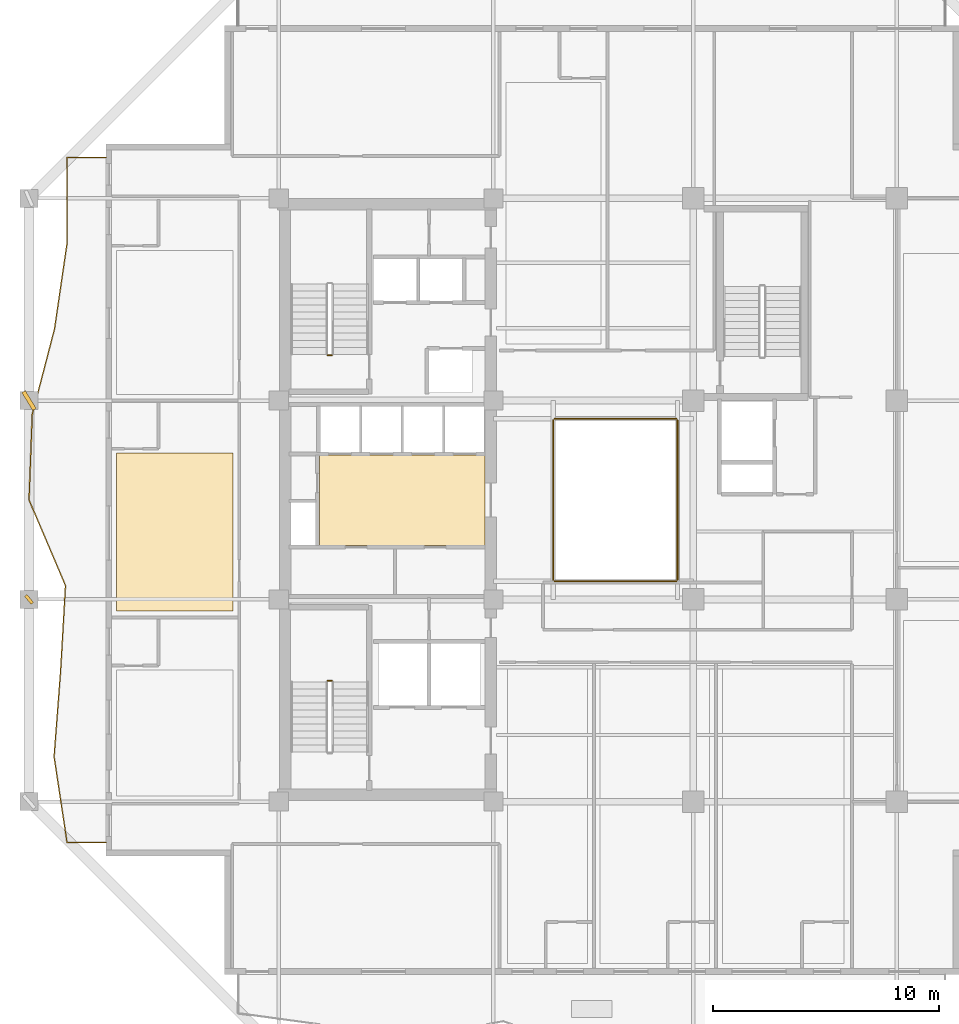
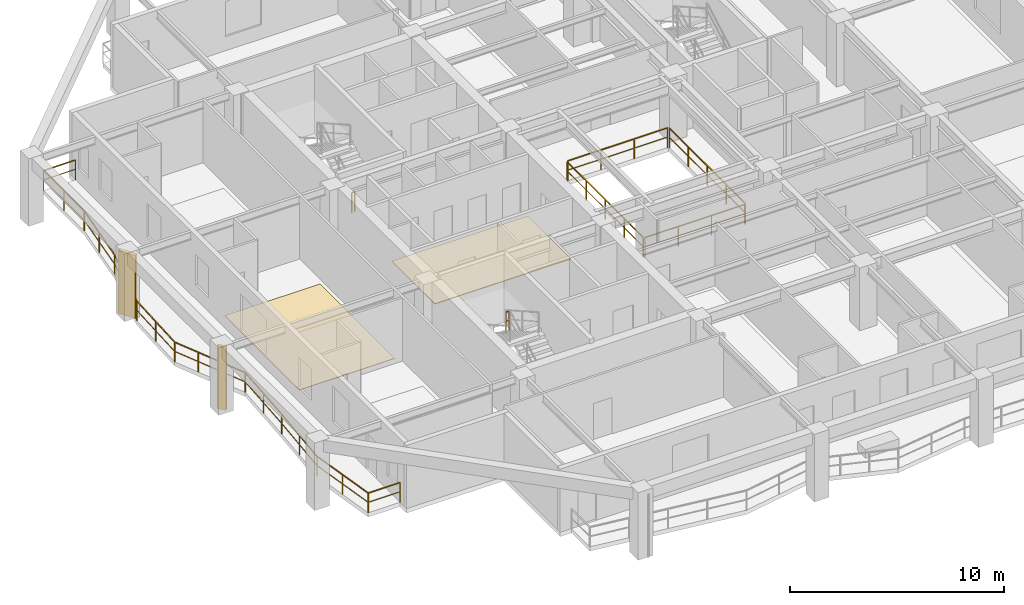
# One storey, part 9 of 13: 7 railings, 2 coverings, 2 shading devices.
"""IFC4 building model written with IfcOpenShell, lengths in metres."""

from ifc_helpers import new_model, si_unit, direction, frame, origin, origin_2d, place, context, subcontext, project, spatial, polyline, rectangle, outline, extrude, material, layer, layer_set, type_object, element, save


model = new_model("IFC4")

# Units and contexts
model_context = context("Model", 3, precision=1e-05, world=origin(), true_north=direction((0.0, 1.0)))
body_context = subcontext(model_context, "Body", "Model", "MODEL_VIEW")
ifc_project = project(units=[si_unit("LENGTHUNIT", "METRE"), si_unit("AREAUNIT", "SQUARE_METRE"), si_unit("VOLUMEUNIT", "CUBIC_METRE"), si_unit("PLANEANGLEUNIT", "RADIAN"), si_unit("MASSUNIT", "GRAM", prefix="KILO")], contexts=[model_context])

# Site, building, storey
site_placement = place(None, origin())
site = spatial("IfcSite", under=ifc_project, at=site_placement, CompositionType="ELEMENT")
building_placement = place(site_placement, origin())
building = spatial("IfcBuilding", under=site, at=building_placement, Name="Kundavana Baori Tower", CompositionType="ELEMENT")
storey_placement = place(building_placement, frame((0.0, 0.0, 177.14990234375)))
storey = spatial("IfcBuildingStorey", under=building, at=storey_placement, Name="L43", CompositionType="ELEMENT", Elevation=177.14990234375)

# Coverings
ifc_material_1 = material(Name="Honed Kota Stone and Terrazzo Flooring", Category="masonry")
ifc_layer_1 = layer(ifc_material_1, 0.0400390625, Name="COV-FLR-TERR-40")
ifc_layer_set_1 = layer_set([ifc_layer_1], Name="Honed Kota Stone and Terrazzo Flooring")
covering_type_1 = type_object("IfcCoveringType", Name="COV-FLR-TERR-40", PredefinedType="FLOORING", material=ifc_layer_set_1)
covering_1_placement = place(storey_placement, origin())
element("IfcCovering", 1, at=covering_1_placement, inside=storey, type_object=covering_type_1, Name="L43 Core Lift Lobby Kota Stone Flooring", PredefinedType="FLOORING", context=body_context, shape_type="SweptSolid", body=[
    extrude(outline(polyline([(17.25, 26.580078125), (24.580078125, 26.580078125), (24.580078125, 30.60009765625), (17.25, 30.60009765625), (17.25, 26.580078125)])), origin(), (0.0, 0.0, 1.0), 0.0400390625),
])
ifc_material_2 = material(Name="Honed Kota Stone and Terrazzo Flooring", Category="masonry")
ifc_layer_2 = layer(ifc_material_2, 0.030029296875, Name="COV-INT-FLR")
ifc_layer_set_2 = layer_set([ifc_layer_2], Name="Honed Kota Stone and Terrazzo Flooring")
covering_type_2 = type_object("IfcCoveringType", Name="COV-INT-FLR", PredefinedType="FLOORING", material=ifc_layer_set_2)
covering_2_placement = place(storey_placement, origin())
element("IfcCovering", 2, at=covering_2_placement, inside=storey, type_object=covering_type_2, Name="L43 Room Finished Stone Flooring 2", PredefinedType="FLOORING", context=body_context, shape_type="SweptSolid", body=[
    extrude(outline(polyline([(8.280029296875, 23.679931640625), (13.419921875, 23.679931640625), (13.419921875, 30.669921875), (8.280029296875, 30.669921875), (8.280029296875, 23.679931640625)])), origin(), (0.0, 0.0, 1.0), 0.030029296875),
])

# Railings
ifc_material_3 = material(Name="Architectural Patinated Bronze Metalwork")
railing_type_1 = type_object("IfcRailingType", Name="RL-BAL-1150", PredefinedType="BALUSTRADE", material=ifc_material_3)
railing_1_placement = place(storey_placement, frame((7.800048828125, 13.449951171875, 0.0)))
element("IfcRailing", 3, at=railing_1_placement, inside=storey, type_object=railing_type_1, Name="L43 Loggia Balcony Balustrade W", PredefinedType="BALUSTRADE", context=body_context, shape_type="SweptSolid", body=[
    extrude(rectangle(XDim=0.048095703125, YDim=0.048095703125, at=origin_2d()), frame((0.0, 0.0, 1.1259765625), z_axis=(-1.0, 0.0, 0.0), x_axis=(0.0, -1.0, 0.0)), (0.0, 0.0, 1.0), 1.719970703125),
    extrude(rectangle(XDim=0.03125, YDim=0.03125, at=origin_2d()), frame((0.0, 0.0, 0.597900390625), z_axis=(-1.0, 0.0, 0.0), x_axis=(0.0, -1.0, 0.0)), (0.0, 0.0, 1.0), 1.719970703125),
    extrude(rectangle(XDim=0.048095703125, YDim=0.048095703125, at=origin_2d()), frame((-1.719970703125, 0.0, 1.1259765625), z_axis=(-0.149811042356, 0.988714646189, 0.0), x_axis=(-0.988714646189, -0.149811042356, 0.0)), (0.0, 0.0, 1.0), 3.831298828125),
    extrude(rectangle(XDim=0.03125, YDim=0.03125, at=origin_2d()), frame((-1.719970703125, 0.0, 0.597900390625), z_axis=(-0.149811042356, 0.988714646189, 0.0), x_axis=(-0.988714646189, -0.149811042356, 0.0)), (0.0, 0.0, 1.0), 3.831298828125),
    extrude(rectangle(XDim=0.048095703125, YDim=0.048095703125, at=origin_2d()), frame((-2.2939453125, 3.7880859375, 1.1259765625), z_axis=(0.075791940449, 0.997123654199, 0.0), x_axis=(-0.997123654199, 0.075791940449, 0.0)), (0.0, 0.0, 1.0), 3.7978515625),
    extrude(rectangle(XDim=0.03125, YDim=0.03125, at=origin_2d()), frame((-2.2939453125, 3.7880859375, 0.597900390625), z_axis=(0.075791940449, 0.997123654199, 0.0), x_axis=(-0.997123654199, 0.075791940449, 0.0)), (0.0, 0.0, 1.0), 3.7978515625),
    extrude(rectangle(XDim=0.048095703125, YDim=0.048095703125, at=origin_2d()), frame((-2.006103515625, 7.574951171875, 1.1259765625), z_axis=(0.057216582699, 0.998361789465, 0.0), x_axis=(-0.998361789465, 0.057216582699, 0.0)), (0.0, 0.0, 1.0), 3.793212890625),
    extrude(rectangle(XDim=0.03125, YDim=0.03125, at=origin_2d()), frame((-2.006103515625, 7.574951171875, 0.597900390625), z_axis=(0.057216582699, 0.998361789465, 0.0), x_axis=(-0.998361789465, 0.057216582699, 0.0)), (0.0, 0.0, 1.0), 3.793212890625),
    extrude(rectangle(XDim=0.048095703125, YDim=0.048095703125, at=origin_2d()), frame((-1.7890625, 11.362060546875, 1.1259765625), z_axis=(-0.391376731153, 0.920230544109, 0.0), x_axis=(-0.920230544109, -0.391376731153, 0.0)), (0.0, 0.0, 1.0), 4.116455078125),
    extrude(rectangle(XDim=0.03125, YDim=0.03125, at=origin_2d()), frame((-1.7890625, 11.362060546875, 0.597900390625), z_axis=(-0.391376731153, 0.920230544109, 0.0), x_axis=(-0.920230544109, -0.391376731153, 0.0)), (0.0, 0.0, 1.0), 4.116455078125),
    extrude(rectangle(XDim=0.048095703125, YDim=0.048095703125, at=origin_2d()), frame((-3.400146484375, 15.150146484375, 1.1259765625), z_axis=(0.0372284447, 0.999306781176, 0.0), x_axis=(-0.999306781176, 0.0372284447, 0.0)), (0.0, 0.0, 1.0), 3.79052734375),
    extrude(rectangle(XDim=0.03125, YDim=0.03125, at=origin_2d()), frame((-3.400146484375, 15.150146484375, 0.597900390625), z_axis=(0.0372284447, 0.999306781176, 0.0), x_axis=(-0.999306781176, 0.0372284447, 0.0)), (0.0, 0.0, 1.0), 3.79052734375),
    extrude(rectangle(XDim=0.048095703125, YDim=0.048095703125, at=origin_2d()), frame((-3.259033203125, 18.93798828125, 1.1259765625), z_axis=(0.251685278982, 0.967809134253, 0.0), x_axis=(-0.967809134253, 0.251685278982, 0.0)), (0.0, 0.0, 1.0), 3.9130859375),
    extrude(rectangle(XDim=0.03125, YDim=0.03125, at=origin_2d()), frame((-3.259033203125, 18.93798828125, 0.597900390625), z_axis=(0.251685278982, 0.967809134253, 0.0), x_axis=(-0.967809134253, 0.251685278982, 0.0)), (0.0, 0.0, 1.0), 3.9130859375),
    extrude(rectangle(XDim=0.048095703125, YDim=0.048095703125, at=origin_2d()), frame((-2.274169921875, 22.72509765625, 1.1259765625), z_axis=(0.144805273127, 0.989460172455, 0.0), x_axis=(-0.989460172455, 0.144805273127, 0.0)), (0.0, 0.0, 1.0), 3.8271484375),
    extrude(rectangle(XDim=0.03125, YDim=0.03125, at=origin_2d()), frame((-2.274169921875, 22.72509765625, 0.597900390625), z_axis=(0.144805273127, 0.989460172455, 0.0), x_axis=(-0.989460172455, 0.144805273127, 0.0)), (0.0, 0.0, 1.0), 3.8271484375),
    extrude(rectangle(XDim=0.048095703125, YDim=0.048095703125, at=origin_2d()), frame((-1.719970703125, 26.511962890625, 1.1259765625), z_axis=(0.0, 1.0, 0.0), x_axis=(-1.0, 0.0, 0.0)), (0.0, 0.0, 1.0), 3.7880859375),
    extrude(rectangle(XDim=0.03125, YDim=0.03125, at=origin_2d()), frame((-1.719970703125, 26.511962890625, 0.597900390625), z_axis=(0.0, 1.0, 0.0), x_axis=(-1.0, 0.0, 0.0)), (0.0, 0.0, 1.0), 3.7880859375),
    extrude(rectangle(XDim=0.048095703125, YDim=0.048095703125, at=origin_2d()), frame((-1.719970703125, 30.300048828125, 1.1259765625), z_axis=(1.0, 0.0, 0.0), x_axis=(0.0, 1.0, 0.0)), (0.0, 0.0, 1.0), 1.719970703125),
    extrude(rectangle(XDim=0.03125, YDim=0.03125, at=origin_2d()), frame((-1.719970703125, 30.300048828125, 0.597900390625), z_axis=(1.0, 0.0, 0.0), x_axis=(0.0, 1.0, 0.0)), (0.0, 0.0, 1.0), 1.719970703125),
    extrude(rectangle(XDim=0.0419921875, YDim=0.0419921875, at=origin_2d()), origin(), (0.0, 0.0, 1.0), 1.101806640625),
    extrude(rectangle(XDim=0.0419921875, YDim=0.0419921875, at=origin_2d()), frame((-1.719970703125, 0.0, 0.0)), (0.0, 0.0, 1.0), 1.101806640625),
    extrude(rectangle(XDim=0.0419921875, YDim=0.0419921875, at=origin_2d()), frame((-2.0068359375, 1.89404296875, 0.0)), (0.0, 0.0, 1.0), 1.101806640625),
    extrude(rectangle(XDim=0.0419921875, YDim=0.0419921875, at=origin_2d()), frame((-2.2939453125, 3.7880859375, 0.0)), (0.0, 0.0, 1.0), 1.101806640625),
    extrude(rectangle(XDim=0.0419921875, YDim=0.0419921875, at=origin_2d()), frame((-2.14990234375, 5.681640625, 0.0)), (0.0, 0.0, 1.0), 1.101806640625),
    extrude(rectangle(XDim=0.0419921875, YDim=0.0419921875, at=origin_2d()), frame((-2.006103515625, 7.574951171875, 0.0)), (0.0, 0.0, 1.0), 1.101806640625),
    extrude(rectangle(XDim=0.0419921875, YDim=0.0419921875, at=origin_2d()), frame((-1.8974609375, 9.468505859375, 0.0)), (0.0, 0.0, 1.0), 1.101806640625),
    extrude(rectangle(XDim=0.0419921875, YDim=0.0419921875, at=origin_2d()), frame((-1.7890625, 11.362060546875, 0.0)), (0.0, 0.0, 1.0), 1.101806640625),
    extrude(rectangle(XDim=0.0419921875, YDim=0.0419921875, at=origin_2d()), frame((-2.326171875, 12.624755859375, 0.0)), (0.0, 0.0, 1.0), 1.101806640625),
    extrude(rectangle(XDim=0.0419921875, YDim=0.0419921875, at=origin_2d()), frame((-2.863037109375, 13.887451171875, 0.0)), (0.0, 0.0, 1.0), 1.101806640625),
    extrude(rectangle(XDim=0.0419921875, YDim=0.0419921875, at=origin_2d()), frame((-3.400146484375, 15.150146484375, 0.0)), (0.0, 0.0, 1.0), 1.101806640625),
    extrude(rectangle(XDim=0.0419921875, YDim=0.0419921875, at=origin_2d()), frame((-3.32958984375, 17.0439453125, 0.0)), (0.0, 0.0, 1.0), 1.101806640625),
    extrude(rectangle(XDim=0.0419921875, YDim=0.0419921875, at=origin_2d()), frame((-3.259033203125, 18.93798828125, 0.0)), (0.0, 0.0, 1.0), 1.101806640625),
    extrude(rectangle(XDim=0.0419921875, YDim=0.0419921875, at=origin_2d()), frame((-2.7666015625, 20.83154296875, 0.0)), (0.0, 0.0, 1.0), 1.101806640625),
    extrude(rectangle(XDim=0.0419921875, YDim=0.0419921875, at=origin_2d()), frame((-2.274169921875, 22.72509765625, 0.0)), (0.0, 0.0, 1.0), 1.101806640625),
    extrude(rectangle(XDim=0.0419921875, YDim=0.0419921875, at=origin_2d()), frame((-1.9970703125, 24.61865234375, 0.0)), (0.0, 0.0, 1.0), 1.101806640625),
    extrude(rectangle(XDim=0.0419921875, YDim=0.0419921875, at=origin_2d()), frame((-1.719970703125, 26.511962890625, 0.0)), (0.0, 0.0, 1.0), 1.101806640625),
    extrude(rectangle(XDim=0.0419921875, YDim=0.0419921875, at=origin_2d()), frame((-1.719970703125, 28.406005859375, 0.0)), (0.0, 0.0, 1.0), 1.101806640625),
    extrude(rectangle(XDim=0.0419921875, YDim=0.0419921875, at=origin_2d()), frame((-1.719970703125, 30.300048828125, 0.0)), (0.0, 0.0, 1.0), 1.101806640625),
    extrude(rectangle(XDim=0.0419921875, YDim=0.0419921875, at=origin_2d()), frame((0.0, 30.300048828125, 0.0)), (0.0, 0.0, 1.0), 1.101806640625),
])
ifc_material_4 = material(Name="Architectural Patinated Bronze Metalwork")
railing_type_2 = type_object("IfcRailingType", Name="RL-GRD-1150", PredefinedType="GUARDRAIL", material=ifc_material_4)
for number, where, name in (
    (4, (17.7900390625, 20.60009765625, 1.925048828125), "L43 ST1 stair guard 2"),
    (5, (17.7900390625, 35.0, 0.0), "L43 ST2 stair guard 4"),
):
    element("IfcRailing", number, at=place(storey_placement, frame(where)), inside=storey, type_object=railing_type_2, Name=name, PredefinedType="GUARDRAIL", context=body_context, shape_type="SweptSolid", body=[
        extrude(rectangle(XDim=0.048095703125, YDim=0.048095703125, at=origin_2d()), frame((0.0, 0.0, 1.1259765625), z_axis=(-1.0, 0.0, 0.0), x_axis=(0.0, -1.0, 0.0)), (0.0, 0.0, 1.0), 0.16015625),
        extrude(rectangle(XDim=0.03125, YDim=0.03125, at=origin_2d()), frame((0.0, 0.0, 0.597900390625), z_axis=(-1.0, 0.0, 0.0), x_axis=(0.0, -1.0, 0.0)), (0.0, 0.0, 1.0), 0.16015625),
        extrude(rectangle(XDim=0.0419921875, YDim=0.0419921875, at=origin_2d()), origin(), (0.0, 0.0, 1.0), 1.101806640625),
        extrude(rectangle(XDim=0.0419921875, YDim=0.0419921875, at=origin_2d()), frame((-0.16015625, 0.0, 0.0)), (0.0, 0.0, 1.0), 1.101806640625),
    ])
railing_2_placement = place(storey_placement, frame((27.659912109375, 25.0, 0.0)))
element("IfcRailing", 6, at=railing_2_placement, inside=storey, type_object=railing_type_2, Name="L43 Atrium Void Perimeter Guardrail S", PredefinedType="GUARDRAIL", context=body_context, shape_type="SweptSolid", body=[
    extrude(rectangle(XDim=0.048095703125, YDim=0.048095703125, at=origin_2d()), frame((0.0, 0.0, 1.1259765625), z_axis=(1.0, 0.0, 0.0), x_axis=(0.0, 1.0, 0.0)), (0.0, 0.0, 1.0), 5.380126953125),
    extrude(rectangle(XDim=0.03125, YDim=0.03125, at=origin_2d()), frame((0.0, 0.0, 0.597900390625), z_axis=(1.0, 0.0, 0.0), x_axis=(0.0, 1.0, 0.0)), (0.0, 0.0, 1.0), 5.380126953125),
    extrude(rectangle(XDim=0.0419921875, YDim=0.0419921875, at=origin_2d()), origin(), (0.0, 0.0, 1.0), 1.101806640625),
    extrude(rectangle(XDim=0.0419921875, YDim=0.0419921875, at=origin_2d()), frame((1.79345703125, 0.0, 0.0)), (0.0, 0.0, 1.0), 1.101806640625),
    extrude(rectangle(XDim=0.0419921875, YDim=0.0419921875, at=origin_2d()), frame((3.586669921875, 0.0, 0.0)), (0.0, 0.0, 1.0), 1.101806640625),
    extrude(rectangle(XDim=0.0419921875, YDim=0.0419921875, at=origin_2d()), frame((5.380126953125, 0.0, 0.0)), (0.0, 0.0, 1.0), 1.101806640625),
])
railing_3_placement = place(storey_placement, frame((33.10009765625, 25.06005859375, 0.0)))
element("IfcRailing", 7, at=railing_3_placement, inside=storey, type_object=railing_type_2, Name="L43 Atrium Void Perimeter Guardrail E", PredefinedType="GUARDRAIL", context=body_context, shape_type="SweptSolid", body=[
    extrude(rectangle(XDim=0.048095703125, YDim=0.048095703125, at=origin_2d()), frame((0.0, 0.0, 1.1259765625), z_axis=(0.0, 1.0, 0.0), x_axis=(-1.0, 0.0, 0.0)), (0.0, 0.0, 1.0), 7.079833984375),
    extrude(rectangle(XDim=0.03125, YDim=0.03125, at=origin_2d()), frame((0.0, 0.0, 0.597900390625), z_axis=(0.0, 1.0, 0.0), x_axis=(-1.0, 0.0, 0.0)), (0.0, 0.0, 1.0), 7.079833984375),
    extrude(rectangle(XDim=0.0419921875, YDim=0.0419921875, at=origin_2d()), origin(), (0.0, 0.0, 1.0), 1.101806640625),
    extrude(rectangle(XDim=0.0419921875, YDim=0.0419921875, at=origin_2d()), frame((0.0, 1.77001953125, 0.0)), (0.0, 0.0, 1.0), 1.101806640625),
    extrude(rectangle(XDim=0.0419921875, YDim=0.0419921875, at=origin_2d()), frame((0.0, 3.5400390625, 0.0)), (0.0, 0.0, 1.0), 1.101806640625),
    extrude(rectangle(XDim=0.0419921875, YDim=0.0419921875, at=origin_2d()), frame((0.0, 5.309814453125, 0.0)), (0.0, 0.0, 1.0), 1.101806640625),
    extrude(rectangle(XDim=0.0419921875, YDim=0.0419921875, at=origin_2d()), frame((0.0, 7.079833984375, 0.0)), (0.0, 0.0, 1.0), 1.101806640625),
])
railing_4_placement = place(storey_placement, frame((33.0400390625, 32.199951171875, 0.0)))
element("IfcRailing", 8, at=railing_4_placement, inside=storey, type_object=railing_type_2, Name="L43 Atrium Void Perimeter Guardrail N", PredefinedType="GUARDRAIL", context=body_context, shape_type="SweptSolid", body=[
    extrude(rectangle(XDim=0.048095703125, YDim=0.048095703125, at=origin_2d()), frame((0.0, 0.0, 1.1259765625), z_axis=(-1.0, 0.0, 0.0), x_axis=(0.0, -1.0, 0.0)), (0.0, 0.0, 1.0), 5.380126953125),
    extrude(rectangle(XDim=0.03125, YDim=0.03125, at=origin_2d()), frame((0.0, 0.0, 0.597900390625), z_axis=(-1.0, 0.0, 0.0), x_axis=(0.0, -1.0, 0.0)), (0.0, 0.0, 1.0), 5.380126953125),
    extrude(rectangle(XDim=0.0419921875, YDim=0.0419921875, at=origin_2d()), origin(), (0.0, 0.0, 1.0), 1.101806640625),
    extrude(rectangle(XDim=0.0419921875, YDim=0.0419921875, at=origin_2d()), frame((-1.79345703125, 0.0, 0.0)), (0.0, 0.0, 1.0), 1.101806640625),
    extrude(rectangle(XDim=0.0419921875, YDim=0.0419921875, at=origin_2d()), frame((-3.586669921875, 0.0, 0.0)), (0.0, 0.0, 1.0), 1.101806640625),
    extrude(rectangle(XDim=0.0419921875, YDim=0.0419921875, at=origin_2d()), frame((-5.380126953125, 0.0, 0.0)), (0.0, 0.0, 1.0), 1.101806640625),
])
railing_5_placement = place(storey_placement, frame((27.60009765625, 32.139892578125, 0.0)))
element("IfcRailing", 9, at=railing_5_placement, inside=storey, type_object=railing_type_2, Name="L43 Atrium Void Perimeter Guardrail W", PredefinedType="GUARDRAIL", context=body_context, shape_type="SweptSolid", body=[
    extrude(rectangle(XDim=0.048095703125, YDim=0.048095703125, at=origin_2d()), frame((0.0, 0.0, 1.1259765625), z_axis=(0.0, -1.0, 0.0), x_axis=(1.0, 0.0, 0.0)), (0.0, 0.0, 1.0), 7.079833984375),
    extrude(rectangle(XDim=0.03125, YDim=0.03125, at=origin_2d()), frame((0.0, 0.0, 0.597900390625), z_axis=(0.0, -1.0, 0.0), x_axis=(1.0, 0.0, 0.0)), (0.0, 0.0, 1.0), 7.079833984375),
    extrude(rectangle(XDim=0.0419921875, YDim=0.0419921875, at=origin_2d()), origin(), (0.0, 0.0, 1.0), 1.101806640625),
    extrude(rectangle(XDim=0.0419921875, YDim=0.0419921875, at=origin_2d()), frame((0.0, -1.77001953125, 0.0)), (0.0, 0.0, 1.0), 1.101806640625),
    extrude(rectangle(XDim=0.0419921875, YDim=0.0419921875, at=origin_2d()), frame((0.0, -3.5400390625, 0.0)), (0.0, 0.0, 1.0), 1.101806640625),
    extrude(rectangle(XDim=0.0419921875, YDim=0.0419921875, at=origin_2d()), frame((0.0, -5.309814453125, 0.0)), (0.0, 0.0, 1.0), 1.101806640625),
    extrude(rectangle(XDim=0.0419921875, YDim=0.0419921875, at=origin_2d()), frame((0.0, -7.079833984375, 0.0)), (0.0, 0.0, 1.0), 1.101806640625),
])

# Shading devices
ifc_material_5 = material(Name="Red-Buff Dholpur Sandstone Cladding on Concrete C40/50", Category="masonry")
shading_device_type_1 = type_object("IfcShadingDeviceType", Name="SHD-FIN-920", PredefinedType="JALOUSIE", material=ifc_material_5)
shading_device_1_placement = place(storey_placement, frame((4.39990234375, 33.0, 0.0), z_axis=(0.0, 0.0, 1.0), x_axis=(0.85345985094, 0.521158596622, 0.0)))
element("IfcShadingDevice", 10, at=shading_device_1_placement, inside=storey, type_object=shading_device_type_1, Name="L43 Sweeping Dholpur Sandstone Facade Fin 7", PredefinedType="JALOUSIE", context=body_context, shape_type="SweptSolid", body=[
    extrude(rectangle(XDim=0.179931640625, YDim=0.919921875, at=origin_2d()), origin(), (0.0, 0.0, 1.0), 3.60009765625),
])
ifc_material_6 = material(Name="Architectural Patinated Bronze Metalwork")
shading_device_type_2 = type_object("IfcShadingDeviceType", Name="SHD-LOUV-450", PredefinedType="SHUTTER", material=ifc_material_6)
shading_device_2_placement = place(storey_placement, frame((4.39990234375, 24.199951171875, 0.0), z_axis=(0.0, 0.0, 1.0), x_axis=(0.765146195875, 0.643856582585, 0.0)))
element("IfcShadingDevice", 11, at=shading_device_2_placement, inside=storey, type_object=shading_device_type_2, Name="L43 Sweeping Dholpur Sandstone Facade Fin 6", PredefinedType="SHUTTER", context=body_context, shape_type="SweptSolid", body=[
    extrude(rectangle(XDim=0.139892578125, YDim=0.449951171875, at=origin_2d()), origin(), (0.0, 0.0, 1.0), 3.60009765625),
])

save(model, "model.ifc")
